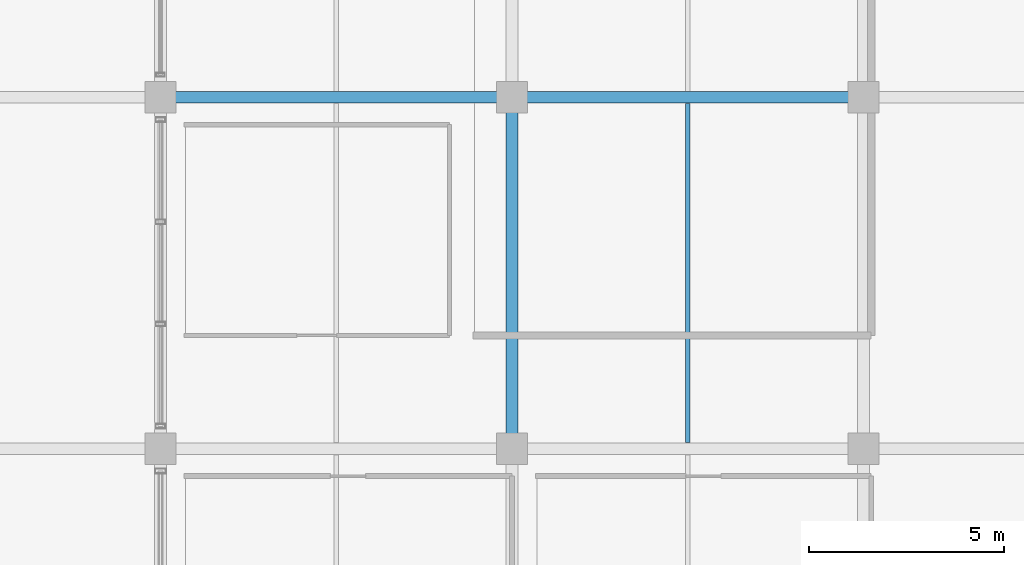
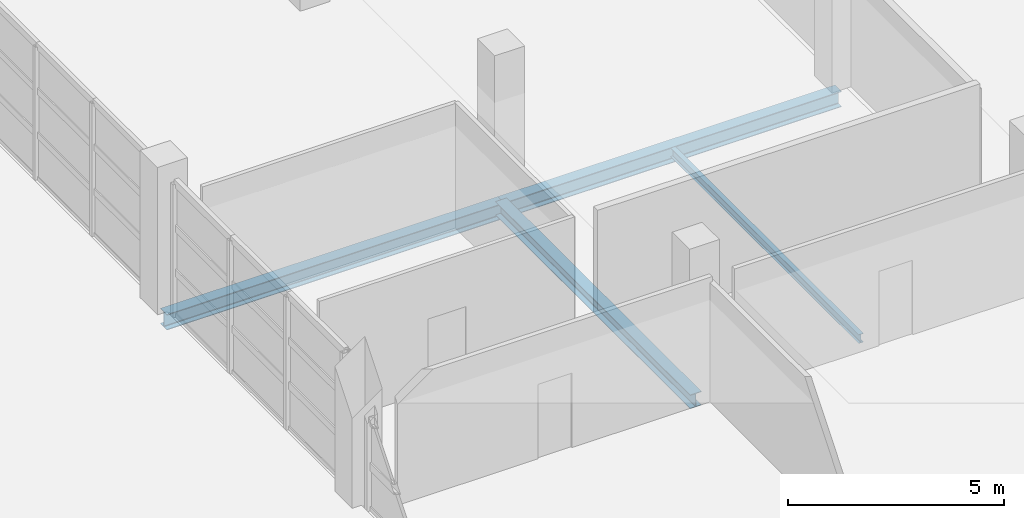
# One storey, part 81 of 136: 4 beams.
"""IFC4 building model written with IfcOpenShell, lengths in metres."""

import ifcopenshell
import ifcopenshell.guid

model = None  # the IFC model being written
_history = None  # IfcOwnerHistory: only IFC2X3 demands one
_inside = {}  # id of a spatial element -> (the spatial element, [elements in it])
_under = {}  # id of a project, library or spatial element -> (it, [spatial elements below it])
_declared = {}  # id of a project -> (the project, [libraries it declares])
_typed = {}  # id of a type object -> (the type object, [elements of that type])
_made_of = {}  # id of a material, layer set ... -> (it, [elements and type objects made of it])


def new_model(schema):
    """Start an empty IFC model of exactly this schema.

    Asked for "IFC4X3", IfcOpenShell would pick the latest addendum, in which some entities
    have other attributes; the version numbers below select the first issue.
    IFC2X3 requires an IfcOwnerHistory on every rooted entity: one is made here for all.
    """
    global model, _history
    if schema == "IFC4X3":
        model = ifcopenshell.file(schema_version=(4, 3, 0, 0))
    else:
        model = ifcopenshell.file(schema=schema)
    _inside.clear()
    _under.clear()
    _declared.clear()
    _typed.clear()
    _made_of.clear()
    _history = None
    if model.schema == "IFC2X3":
        org = make("IfcOrganization", Name="unknown")
        user = make(
            "IfcPersonAndOrganization",
            ThePerson=make("IfcPerson", FamilyName="unknown"),
            TheOrganization=org,
        )
        app = make(
            "IfcApplication",
            ApplicationDeveloper=org,
            Version="unknown",
            ApplicationFullName="unknown",
            ApplicationIdentifier="unknown",
        )
        _history = make(
            "IfcOwnerHistory",
            OwningUser=user,
            OwningApplication=app,
            ChangeAction="ADDED",
            CreationDate=0,
        )
    return model


def make(cls, **values):
    """One entity of the class cls with the attributes given. An attribute that is None is left unset."""
    return model.create_entity(
        cls, **{name: value for name, value in values.items() if value is not None}
    )


def rooted(cls, **values):
    """An entity with a GlobalId (a new one), such as an element, a storey or a relation."""
    return make(cls, GlobalId=ifcopenshell.guid.new(), OwnerHistory=_history, **values)


def si_unit(unit_type, name, prefix=None):
    """IfcSIUnit, for example si_unit("LENGTHUNIT", "METRE", prefix="MILLI")."""
    return make("IfcSIUnit", UnitType=unit_type, Prefix=prefix, Name=name)


def assignment(units):
    """IfcUnitAssignment: the units of a project."""
    return None if units is None else make("IfcUnitAssignment", Units=units)


def point(xyz):
    """IfcCartesianPoint."""
    return None if xyz is None else make("IfcCartesianPoint", Coordinates=xyz)


def direction(xyz):
    """IfcDirection."""
    return None if xyz is None else make("IfcDirection", DirectionRatios=xyz)


def frame(location, z_axis=None, x_axis=None):
    """IfcAxis2Placement3D, a coordinate frame: its origin and axes. An axis left out is left unset."""
    return make(
        "IfcAxis2Placement3D",
        Location=point(location),
        Axis=direction(z_axis),
        RefDirection=direction(x_axis),
    )


def frame_2d(location, x_axis=None):
    """IfcAxis2Placement2D, a coordinate frame in the plane: its origin and x axis."""
    return make(
        "IfcAxis2Placement2D", Location=point(location), RefDirection=direction(x_axis)
    )


def origin():
    """The frame at (0, 0, 0) with its axes left unset."""
    return frame((0.0, 0.0, 0.0))


def origin_2d():
    """The frame at (0, 0) in the plane with its x axis left unset."""
    return frame_2d((0.0, 0.0))


def place(relative_to, where):
    """IfcLocalPlacement: puts the frame where relative to a parent placement (None: the world)."""
    return make(
        "IfcLocalPlacement", PlacementRelTo=relative_to, RelativePlacement=where
    )


def context(
    kind, dimensions, precision=None, world=None, true_north=None, identifier=None
):
    """IfcGeometricRepresentationContext, for example the 3D "Model" context."""
    return make(
        "IfcGeometricRepresentationContext",
        ContextIdentifier=identifier,
        ContextType=kind,
        CoordinateSpaceDimension=dimensions,
        Precision=precision,
        WorldCoordinateSystem=world,
        TrueNorth=true_north,
    )


def subcontext(parent, identifier, kind, view, scale=None):
    """IfcGeometricRepresentationSubContext, for example "Body" below "Model"."""
    return make(
        "IfcGeometricRepresentationSubContext",
        ContextIdentifier=identifier,
        ContextType=kind,
        ParentContext=parent,
        TargetScale=scale,
        TargetView=view,
    )


def project(units=None, contexts=None):
    """IfcProject with its units and contexts."""
    return rooted(
        "IfcProject",
        Name="project",
        RepresentationContexts=contexts,
        UnitsInContext=assignment(units),
    )


def spatial(cls, under=None, at=None, **own):
    """A site, building, storey or space (cls), placed at a placement, below another one or the project."""
    s = rooted(cls, ObjectPlacement=at, **own)
    if under is not None:
        _under.setdefault(under.id(), (under, []))[1].append(s)
    return s


def profile(cls, at=None, kind="AREA", **sizes):
    """A parametric profile (cls). Its sizes go by their IFC names, for example OverallWidth=200.0."""
    return make(cls, ProfileType=kind, Position=at, **sizes)


def i_section(**sizes):
    """IfcIShapeProfileDef."""
    return profile("IfcIShapeProfileDef", **sizes)


def extrude(swept, where, along, depth):
    """IfcExtrudedAreaSolid: the profile swept, set in the frame where, extruded along a direction by depth."""
    return make(
        "IfcExtrudedAreaSolid",
        SweptArea=swept,
        Position=where,
        ExtrudedDirection=direction(along),
        Depth=depth,
    )


def shape(context_of_items, identifier, shape_type, items):
    """IfcShapeRepresentation: the items that make up one representation, for example the "Body"."""
    return make(
        "IfcShapeRepresentation",
        ContextOfItems=context_of_items,
        RepresentationIdentifier=identifier,
        RepresentationType=shape_type,
        Items=items,
    )


def material(Name=None, Category=None):
    """IfcMaterial."""
    return make("IfcMaterial", Name=Name, Category=Category)


def material_profile(
    of_material, cross_section, Name=None, Category=None, Priority=None
):
    """IfcMaterialProfile: a cross section and its material."""
    return make(
        "IfcMaterialProfile",
        Name=Name,
        Material=of_material,
        Profile=cross_section,
        Priority=Priority,
        Category=Category,
    )


def profile_set(profiles, Name=None, composite=None):
    """IfcMaterialProfileSet."""
    return make(
        "IfcMaterialProfileSet",
        Name=Name,
        MaterialProfiles=profiles,
        CompositeProfile=composite,
    )


def made_of(thing, what):
    """Note that an element or type object is made of a material, layer set ...; save() writes the relation."""
    if what is not None:
        _made_of.setdefault(what.id(), (what, []))[1].append(thing)
    return thing


def type_object(cls, material=None, **own):
    """A type object (cls), such as IfcWallType, which elements share."""
    return made_of(rooted(cls, **own), material)


def element(
    cls,
    number,
    at=None,
    inside=None,
    cuts=None,
    type_object=None,
    material=None,
    context=None,
    identifier="Body",
    shape_type=None,
    held_by="IfcProductDefinitionShape",
    body=None,
    shapes=None,
    **own,
):
    """One element of the class cls, such as IfcWall. Its Tag is "e" and its number.

    at: its placement. inside: the storey or other place that contains it. cuts: it is an
    opening in that element (IfcRelVoidsElement). A single representation is given by context,
    identifier, shape_type and body (its items); several are given by shapes. held_by: the class
    of the entity that holds the representations. save() writes the other relations.
    """
    e = rooted(cls, Tag="e%d" % number, ObjectPlacement=at, **own)
    if body is not None:
        shapes = [shape(context, identifier, shape_type, body)]
    if shapes is not None:
        e.Representation = make(held_by, Representations=shapes)
    if inside is not None:
        _inside.setdefault(inside.id(), (inside, []))[1].append(e)
    if cuts is not None:
        rooted(
            "IfcRelVoidsElement", RelatingBuildingElement=cuts, RelatedOpeningElement=e
        )
    if type_object is not None:
        _typed.setdefault(type_object.id(), (type_object, []))[1].append(e)
    return made_of(e, material)


def aggregate(whole, parts):
    """IfcRelAggregates: a whole, such as a stair, and the parts it consists of."""
    return rooted("IfcRelAggregates", RelatingObject=whole, RelatedObjects=parts)


def save(model, path):
    """Write the relations noted so far, then the file.

    IfcRelAggregates (storeys below a building ...), IfcRelContainedInSpatialStructure (elements
    in a storey), IfcRelDefinesByType, IfcRelAssociatesMaterial and IfcRelDeclares: one each for
    every whole, place, type object, material and project.
    """
    for whole, parts in _under.values():
        aggregate(whole, parts)
    for where, things in _inside.values():
        rooted(
            "IfcRelContainedInSpatialStructure",
            RelatedElements=things,
            RelatingStructure=where,
        )
    for kind, things in _typed.values():
        rooted("IfcRelDefinesByType", RelatedObjects=things, RelatingType=kind)
    for what, things in _made_of.values():
        rooted("IfcRelAssociatesMaterial", RelatedObjects=things, RelatingMaterial=what)
    for by, libraries in _declared.values():
        rooted("IfcRelDeclares", RelatingContext=by, RelatedDefinitions=libraries)
    model.write(path)


model = new_model("IFC4")

# Units and contexts
model_context = context("Model", 3, precision=1e-05, world=origin(), true_north=direction((0.0, 1.0)))
body_context = subcontext(model_context, "Body", "Model", "MODEL_VIEW")
ifc_project = project(units=[si_unit("LENGTHUNIT", "METRE"), si_unit("AREAUNIT", "SQUARE_METRE"), si_unit("VOLUMEUNIT", "CUBIC_METRE"), si_unit("PLANEANGLEUNIT", "RADIAN"), si_unit("MASSUNIT", "GRAM", prefix="KILO")], contexts=[model_context])

# Site, building, storey
site_placement = place(None, origin())
site = spatial("IfcSite", under=ifc_project, at=site_placement, CompositionType="ELEMENT")
building_placement = place(site_placement, origin())
building = spatial("IfcBuilding", under=site, at=building_placement, Name="Chuanluo Vaults Station", CompositionType="ELEMENT")
storey_placement = place(building_placement, frame((0.0, 0.0, 6.60009765625)))
storey = spatial("IfcBuildingStorey", under=building, at=storey_placement, Name="L01", CompositionType="ELEMENT", Elevation=6.60009765625)

# Beams
ifc_material_1 = material(Name="Steel Q355C", Category="steel")
ifc_material_profile_1 = material_profile(ifc_material_1, i_section(OverallWidth=0.300048828125, OverallDepth=0.389892578125, WebThickness=0.010009765625, FlangeThickness=0.01611328125, FilletRadius=0.02001953125, at=origin_2d()))
ifc_profile_set_1 = profile_set([ifc_material_profile_1], Name="Steel Q355C")
beam_type_1 = type_object("IfcBeamType", Name="BM-GRD-400", PredefinedType="BEAM", material=ifc_profile_set_1)
beam_1_placement = place(storey_placement, frame((154.0, 76.5, -0.43505859375), z_axis=(0.0, 1.0, 0.0), x_axis=(-1.0, 0.0, 0.0)))
element("IfcBeam", 1, at=beam_1_placement, inside=storey, type_object=beam_type_1, Name="Floor girder BM:GY:L01:0484", PredefinedType="BEAM", context=body_context, shape_type="SweptSolid", body=[
    extrude(i_section(OverallWidth=0.300048828125, OverallDepth=0.389892578125, WebThickness=0.010009765625, FlangeThickness=0.01611328125, FilletRadius=0.02001953125, at=origin_2d()), origin(), (0.0, 0.0, 1.0), 9.0),
])
ifc_material_2 = material(Name="Steel Q355C", Category="steel")
ifc_material_profile_2 = material_profile(ifc_material_2, i_section(OverallWidth=0.300048828125, OverallDepth=0.43994140625, WebThickness=0.010986328125, FlangeThickness=0.01806640625, FilletRadius=0.02001953125, at=origin_2d()))
ifc_profile_set_2 = profile_set([ifc_material_profile_2], Name="Steel Q355C")
beam_type_2 = type_object("IfcBeamType", Name="BM-GRD-450", PredefinedType="USERDEFINED", material=ifc_profile_set_2)
for number, where, z_axis, x_axis, name in (
    (2, (145.0, 85.5, -0.460205078125), (1.0, 0.0, 0.0), (0.0, 1.0, 0.0), "Floor girder BM:GX:L01:0352"),
    (3, (154.0, 85.5, -0.460205078125), (1.0, 0.0, 0.0), (0.0, 1.0, 0.0), "Floor girder BM:GX:L01:0353"),
):
    element("IfcBeam", number, at=place(storey_placement, frame(where, z_axis=z_axis, x_axis=x_axis)), inside=storey, type_object=beam_type_2, Name=name, ObjectType="GIRDER", PredefinedType="USERDEFINED", context=body_context, shape_type="SweptSolid", body=[
        extrude(i_section(OverallWidth=0.300048828125, OverallDepth=0.43994140625, WebThickness=0.010986328125, FlangeThickness=0.01806640625, FilletRadius=0.02001953125, at=origin_2d()), origin(), (0.0, 0.0, 1.0), 9.0),
    ])
ifc_material_3 = material(Name="Steel Q355C", Category="steel")
ifc_material_profile_3 = material_profile(ifc_material_3, i_section(OverallWidth=0.125, OverallDepth=0.25, WebThickness=0.006103515625, FlangeThickness=0.009033203125, FilletRadius=0.011962890625, at=origin_2d()))
ifc_profile_set_3 = profile_set([ifc_material_profile_3], Name="Steel Q355C")
beam_type_3 = type_object("IfcBeamType", Name="BM-SEC-250", PredefinedType="JOIST", material=ifc_profile_set_3)
beam_2_placement = place(storey_placement, frame((158.5, 76.655029296875, -0.364990234375), z_axis=(0.0, 1.0, 0.0), x_axis=(-1.0, 0.0, 0.0)))
element("IfcBeam", 4, at=beam_2_placement, inside=storey, type_object=beam_type_3, Name="Composite secondary joist 0172", PredefinedType="JOIST", context=body_context, shape_type="SweptSolid", body=[
    extrude(i_section(OverallWidth=0.125, OverallDepth=0.25, WebThickness=0.006103515625, FlangeThickness=0.009033203125, FilletRadius=0.011962890625, at=origin_2d()), origin(), (0.0, 0.0, 1.0), 8.68994140625),
])

save(model, "model.ifc")
